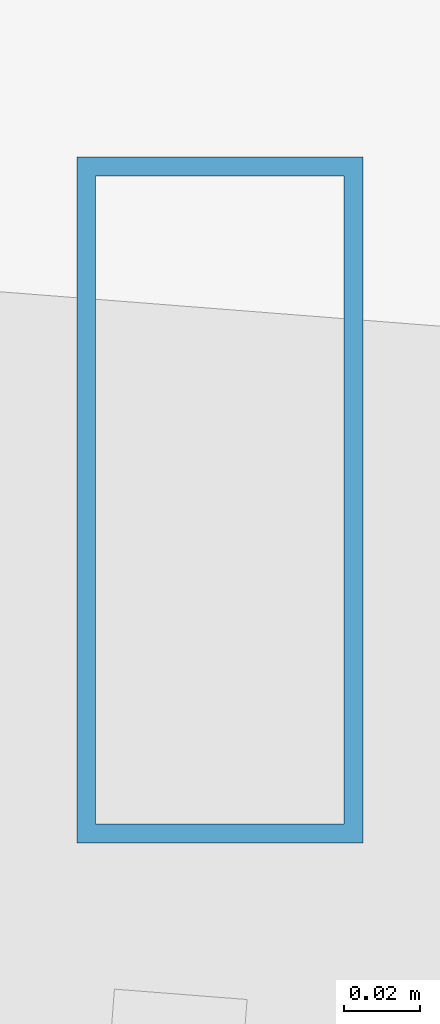
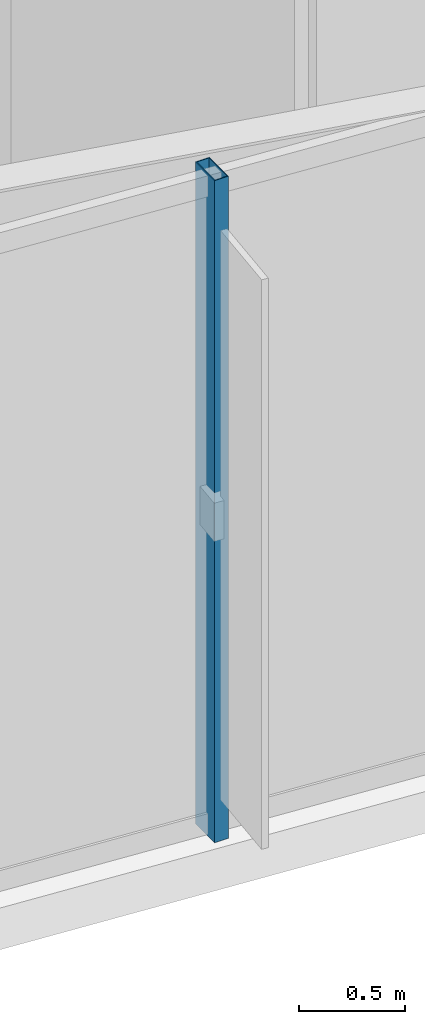
# One storey, part 4 of 31: 1 member, 1 element without a shape of its own.
"""IFC4 building model written with IfcOpenShell, lengths in metres."""

from ifc_helpers import new_model, si_unit, direction, frame, origin, origin_2d, place, context, subcontext, project, spatial, hollow_rectangle, extrude, material, layer, layer_set, material_profile, profile_set, type_object, element, aggregate, save


model = new_model("IFC4")

# Units and contexts
model_context = context("Model", 3, precision=1e-05, world=origin(), true_north=direction((0.0, 1.0)))
body_context = subcontext(model_context, "Body", "Model", "MODEL_VIEW")
ifc_project = project(units=[si_unit("LENGTHUNIT", "METRE"), si_unit("AREAUNIT", "SQUARE_METRE"), si_unit("VOLUMEUNIT", "CUBIC_METRE"), si_unit("PLANEANGLEUNIT", "RADIAN"), si_unit("MASSUNIT", "GRAM", prefix="KILO")], contexts=[model_context])

# Site, building, storey
site_placement = place(None, origin())
site = spatial("IfcSite", under=ifc_project, at=site_placement, CompositionType="ELEMENT")
building_placement = place(site_placement, origin())
building = spatial("IfcBuilding", under=site, at=building_placement, Name="Veymaron Broadcast Tower", CompositionType="ELEMENT")
storey_placement = place(building_placement, frame((0.0, 0.0, 70.199951171875)))
storey = spatial("IfcBuildingStorey", under=building, at=storey_placement, Name="L15", CompositionType="ELEMENT", Elevation=70.199951171875)

# Curtain wall, member
ifc_material_1 = material(Name="Anodised aluminium AA 6063-T6 and laminated low-E dark glass", Category="aluminium")
ifc_layer = layer(ifc_material_1, 0.179931640625)
ifc_layer_set = layer_set([ifc_layer], Name="Anodised aluminium AA 6063-T6 and laminated low-E dark glass")
curtain_wall_type = type_object("IfcCurtainWallType", Name="CW-SYS-02", PredefinedType="NOTDEFINED", material=ifc_layer_set)
curtain_wall_placement = place(storey_placement, origin())
curtain_wall = element("IfcCurtainWall", 1, at=curtain_wall_placement, inside=storey, type_object=curtain_wall_type, Name="L15 dark-glass curtain wall CW-L15-E14-1", PredefinedType="NOTDEFINED")
ifc_material_2 = material(Name="Anodised aluminium AA 6063-T6", Category="aluminium")
ifc_material_profile = material_profile(ifc_material_2, hollow_rectangle(XDim=0.074951171875, YDim=0.179931640625, WallThickness=0.0048828125, at=origin_2d()), Name="AL180X75X5")
ifc_profile_set = profile_set([ifc_material_profile], Name="Anodised aluminium AA 6063-T6")
member_type = type_object("IfcMemberType", Name="CW-MUL-02", PredefinedType="MULLION", material=ifc_profile_set)
member_placement = place(storey_placement, frame((19.5830078125, 18.211669921875, 0.0), z_axis=(0.0, 0.0, 1.0), x_axis=(1.0, 0.0, 0.0)))
member = element("IfcMember", 2, at=member_placement, type_object=member_type, Name="CW-L15-E14-1 mullion 2", PredefinedType="MULLION", context=body_context, shape_type="SweptSolid", body=[
    extrude(hollow_rectangle(XDim=0.074951171875, YDim=0.179931640625, WallThickness=0.0048828125, at=origin_2d()), origin(), (0.0, 0.0, 1.0), 3.81005859375),
])
aggregate(curtain_wall, [member])

save(model, "model.ifc")
